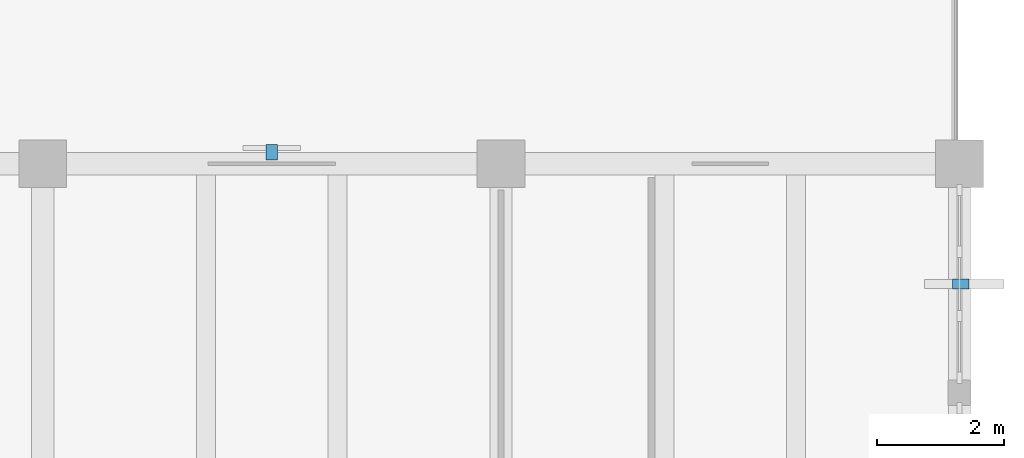
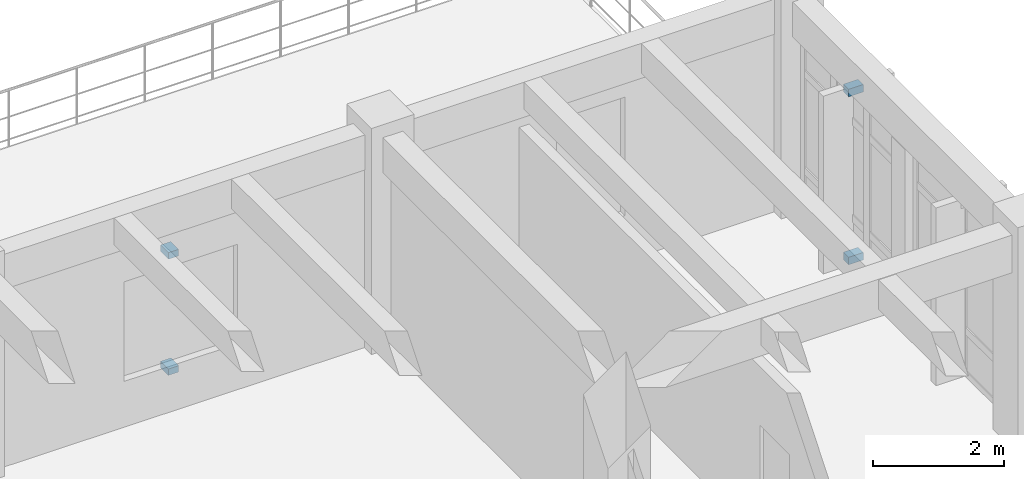
# One storey, part 128 of 136: 4 discrete accessories.
"""IFC4 building model written with IfcOpenShell, lengths in metres."""

from ifc_helpers import new_model, si_unit, direction, frame, origin, origin_2d, place, context, subcontext, project, spatial, rectangle, extrude, material, type_object, element, save


model = new_model("IFC4")

# Units and contexts
model_context = context("Model", 3, precision=1e-05, world=origin(), true_north=direction((0.0, 1.0)))
body_context = subcontext(model_context, "Body", "Model", "MODEL_VIEW")
ifc_project = project(units=[si_unit("LENGTHUNIT", "METRE"), si_unit("AREAUNIT", "SQUARE_METRE"), si_unit("VOLUMEUNIT", "CUBIC_METRE"), si_unit("PLANEANGLEUNIT", "RADIAN"), si_unit("MASSUNIT", "GRAM", prefix="KILO")], contexts=[model_context])

# Site, building, storey
site_placement = place(None, origin())
site = spatial("IfcSite", under=ifc_project, at=site_placement, CompositionType="ELEMENT")
building_placement = place(site_placement, origin())
building = spatial("IfcBuilding", under=site, at=building_placement, Name="Koriwan Promenade Central Fire Station", CompositionType="ELEMENT")
storey_placement = place(building_placement, frame((0.0, 0.0, 5.39990234375)))
storey = spatial("IfcBuildingStorey", under=building, at=storey_placement, Name="L01", CompositionType="ELEMENT", Elevation=5.39990234375)

# Discrete accessories
ifc_material = material(Name="Steel ASTM A572 Grade 50", Category="steel")
discrete_accessory_type_1 = type_object("IfcDiscreteAccessoryType", Name="FacadeBracket_Fin", PredefinedType="BRACKET", material=ifc_material)
for number, where, z_axis, x_axis, name in (
    (1, (172.820068359375, 70.112548828125, 0.02001953125), (0.0, 0.0, 1.0), (1.0, 0.0, 0.0), "Solar fin outrigger bracket 039-BOT"),
    (2, (172.820068359375, 70.112548828125, 3.14013671875), (0.0, 0.0, 1.0), (1.0, 0.0, 0.0), "Solar fin outrigger bracket 039-TOP"),
):
    element("IfcDiscreteAccessory", number, at=place(storey_placement, frame(where, z_axis=z_axis, x_axis=x_axis)), inside=storey, type_object=discrete_accessory_type_1, Name=name, PredefinedType="BRACKET", context=body_context, shape_type="SweptSolid", body=[
        extrude(rectangle(XDim=0.260009765625, YDim=0.159912109375, at=origin_2d()), origin(), (0.0, 0.0, 1.0), 0.139892578125),
    ])
discrete_accessory_type_2 = type_object("IfcDiscreteAccessoryType", Name="FacadeBracket_Jali", PredefinedType="BRACKET", material=ifc_material)
for number, where, z_axis, x_axis, name in (
    (3, (162.0, 72.179931640625, 0.510009765625), (0.0, 0.0, 1.0), (0.0, 1.0, 0.0), "Jali corbel bracket 015-B"),
    (4, (162.0, 72.179931640625, 2.669921875), (0.0, 0.0, 1.0), (0.0, 1.0, 0.0), "Jali corbel bracket 015-T"),
):
    element("IfcDiscreteAccessory", number, at=place(storey_placement, frame(where, z_axis=z_axis, x_axis=x_axis)), inside=storey, type_object=discrete_accessory_type_2, Name=name, PredefinedType="BRACKET", context=body_context, shape_type="SweptSolid", body=[
        extrude(rectangle(XDim=0.239990234375, YDim=0.179931640625, at=origin_2d()), origin(), (0.0, 0.0, 1.0), 0.1201171875),
    ])

save(model, "model.ifc")
